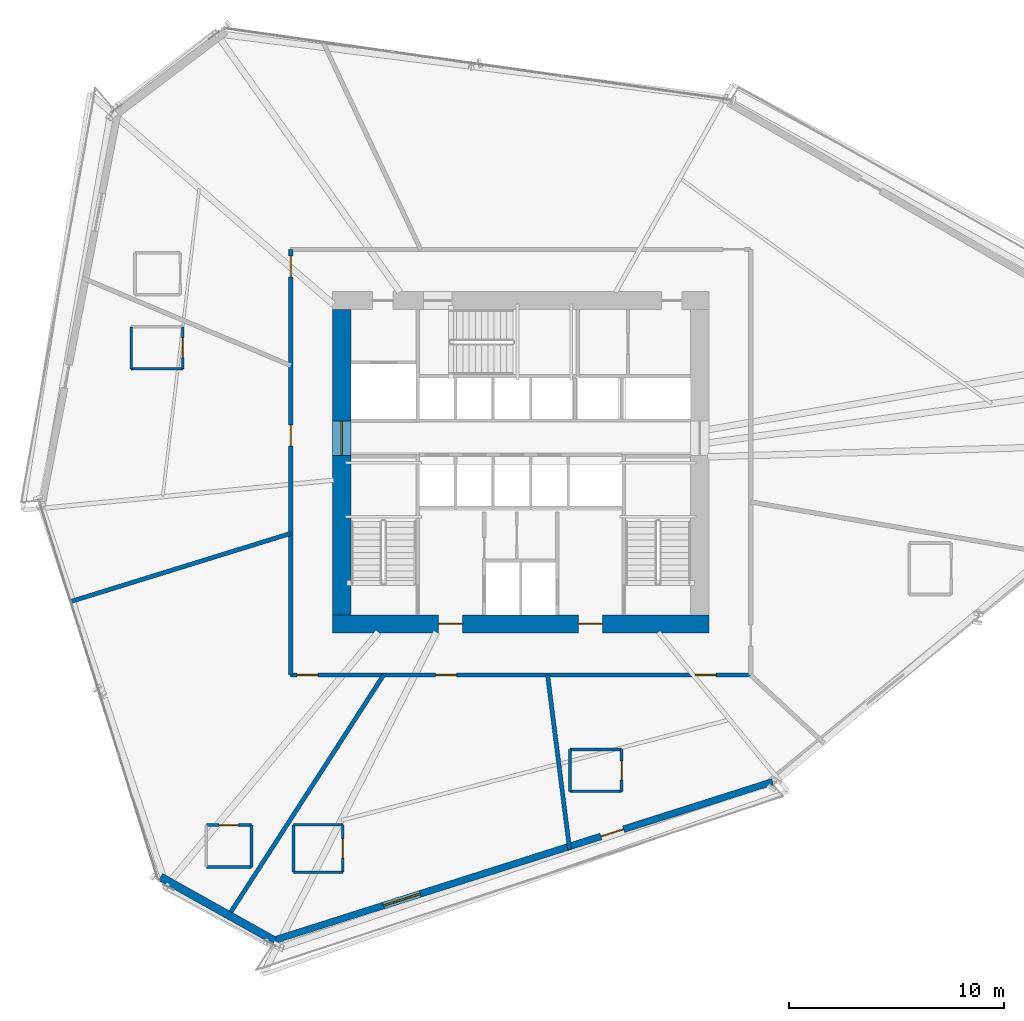
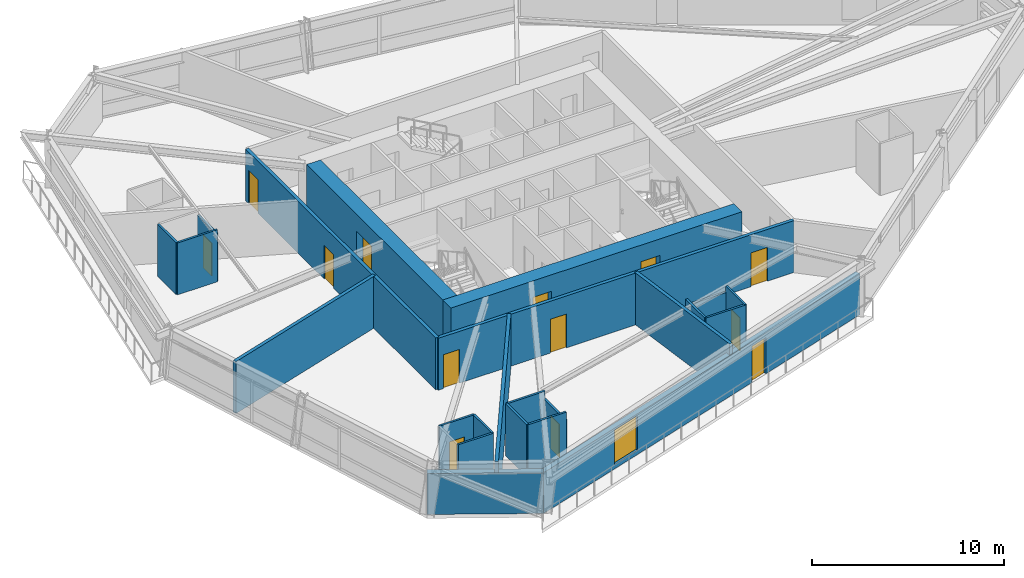
# One storey, part 15 of 21: 23 walls, 13 doors, 1 window, 14 openings.
"""IFC4 building model written with IfcOpenShell, lengths in metres."""

from ifc_helpers import new_model, si_unit, direction, frame, frame_2d, origin, place, context, subcontext, project, spatial, rectangle, extrude, source, transform, mapped, material, layer, layer_set, type_object, type_shapes, element, fill, save


model = new_model("IFC4")

# Units and contexts
model_context = context("Model", 3, precision=1e-05, world=origin(), true_north=direction((0.0, 1.0)))
body_context = subcontext(model_context, "Body", "Model", "MODEL_VIEW")
ifc_project = project(units=[si_unit("LENGTHUNIT", "METRE"), si_unit("AREAUNIT", "SQUARE_METRE"), si_unit("VOLUMEUNIT", "CUBIC_METRE"), si_unit("PLANEANGLEUNIT", "RADIAN"), si_unit("MASSUNIT", "GRAM", prefix="KILO")], contexts=[model_context])

# Site, building, storey
site_placement = place(None, origin())
site = spatial("IfcSite", under=ifc_project, at=site_placement, CompositionType="ELEMENT")
building_placement = place(site_placement, origin())
building = spatial("IfcBuilding", under=site, at=building_placement, Name="Olszyna Solenne Hotel", CompositionType="ELEMENT")
storey_placement = place(building_placement, frame((0.0, 0.0, 54.14990234375)))
storey = spatial("IfcBuildingStorey", under=building, at=storey_placement, Name="L13", CompositionType="ELEMENT", Elevation=54.14990234375)

# Wall, openings, doors
ifc_material_1 = material(Name="Concrete C60/75", Category="concrete")
ifc_layer_1 = layer(ifc_material_1, 0.85009765625, Name="Concrete C60/75")
ifc_layer_set_1 = layer_set([ifc_layer_1], Name="Concrete C60/75")
wall_type_1 = type_object("IfcWallType", Name="WL-CR850", PredefinedType="SHEAR", material=ifc_layer_set_1)
wall_1_placement = place(storey_placement, frame((46.75, 19.074951171875, 0.0), z_axis=(0.0, 0.0, 1.0), x_axis=(-1.0, 0.0, 0.0)))
wall_1 = element("IfcWall", 1, at=wall_1_placement, inside=storey, type_object=wall_type_1, Name="Core shear wall WL-CR850 CRW-L13-S", PredefinedType="SHEAR", context=body_context, shape_type="SweptSolid", body=[
    extrude(rectangle(XDim=17.5, YDim=0.85009765625, at=frame_2d((8.75, 0.0))), origin(), (0.0, 0.0, 1.0), 3.300048828125),
])
opening_1_placement = place(wall_1_placement, frame((4.949951171875, 0.0, 0.0)))
opening_1 = element("IfcOpeningElement", 2, at=opening_1_placement, cuts=wall_1, Name="Opening FL-L13-1", PredefinedType="OPENING", context=body_context, shape_type="SweptSolid", body=[
    extrude(rectangle(XDim=1.1201171875, YDim=2.25, at=frame_2d((0.56005859375, 1.125))), frame((0.0, 0.43505859375, 0.0), z_axis=(0.0, -1.0, 0.0), x_axis=(1.0, 0.0, 0.0)), (0.0, 0.0, 1.0), 0.8701171875),
])
opening_2_placement = place(wall_1_placement, frame((11.449951171875, 0.0, 0.0)))
opening_2 = element("IfcOpeningElement", 3, at=opening_2_placement, cuts=wall_1, Name="Opening FL-L13-2", PredefinedType="OPENING", context=body_context, shape_type="SweptSolid", body=[
    extrude(rectangle(XDim=1.1201171875, YDim=2.25, at=frame_2d((0.56005859375, 1.125))), frame((0.0, 0.43505859375, 0.0), z_axis=(0.0, -1.0, 0.0), x_axis=(1.0, 0.0, 0.0)), (0.0, 0.0, 1.0), 0.8701171875),
])
ifc_material_2 = material(Name="Steel S355J2", Category="steel")
door_type_1 = type_object("IfcDoorType", Name="DR-FL1", OperationType="NOTDEFINED", PredefinedType="DOOR", material=ifc_material_2)
shared_shape_1 = source(origin(), body_context, "Body", "SweptSolid", [
    extrude(rectangle(XDim=1.1201171875, YDim=2.25, at=frame_2d((0.56005859375, 1.125))), frame((0.0, 0.02490234375, 0.0), z_axis=(0.0, -1.0, 0.0), x_axis=(1.0, 0.0, 0.0)), (0.0, 0.0, 1.0), 0.050048828125),
])
type_shapes(door_type_1, [shared_shape_1])
door_1_placement = place(opening_1_placement, origin())
door_1 = element("IfcDoor", 4, at=door_1_placement, inside=storey, type_object=door_type_1, Name="Firefighting lift lobby smoke door FL-L13-1", OperationType="SINGLE_SWING_LEFT", OverallHeight=2.25, OverallWidth=1.1201171875, PredefinedType="DOOR", context=body_context, shape_type="MappedRepresentation", body=[
    mapped(shared_shape_1, transform((0.0, 0.0, 0.0), x_axis=(1.0, 0.0, 0.0), y_axis=(0.0, 1.0, 0.0), z_axis=(0.0, 0.0, 1.0), scale=1.0)),
])
fill(opening_1, door_1)
door_2_placement = place(opening_2_placement, origin())
door_2 = element("IfcDoor", 5, at=door_2_placement, inside=storey, type_object=door_type_1, Name="Firefighting lift lobby smoke door FL-L13-2", OperationType="SINGLE_SWING_RIGHT", OverallHeight=2.25, OverallWidth=1.1201171875, PredefinedType="DOOR", context=body_context, shape_type="MappedRepresentation", body=[
    mapped(shared_shape_1, transform((0.0, 0.0, 0.0), x_axis=(1.0, 0.0, 0.0), y_axis=(0.0, 1.0, 0.0), z_axis=(0.0, 0.0, 1.0), scale=1.0)),
])
fill(opening_2, door_2)

# Wall, opening, door
wall_2_placement = place(storey_placement, frame((29.675048828125, 19.5, 0.0), z_axis=(0.0, 0.0, 1.0), x_axis=(0.0, 1.0, 0.0)))
wall_2 = element("IfcWall", 6, at=wall_2_placement, inside=storey, type_object=wall_type_1, Name="Core shear wall WL-CR850 CRW-L13-W", PredefinedType="SHEAR", context=body_context, shape_type="SweptSolid", body=[
    extrude(rectangle(XDim=14.199951171875, YDim=0.85009765625, at=frame_2d((7.10009765625, 0.0))), origin(), (0.0, 0.0, 1.0), 3.300048828125),
])
opening_3_placement = place(wall_2_placement, frame((7.419921875, 0.0, 0.0)))
opening_3 = element("IfcOpeningElement", 7, at=opening_3_placement, cuts=wall_2, Name="Opening LHD-L13-W", PredefinedType="OPENING", context=body_context, shape_type="SweptSolid", body=[
    extrude(rectangle(XDim=1.60009765625, YDim=2.199951171875, at=frame_2d((0.800048828125, 1.10009765625))), frame((0.0, 0.43505859375, 0.0), z_axis=(0.0, -1.0, 0.0), x_axis=(1.0, 0.0, 0.0)), (0.0, 0.0, 1.0), 0.8701171875),
])
ifc_material_3 = material(Name="Timber hardwood", Category="wood")
door_type_2 = type_object("IfcDoorType", Name="DR-CR1", OperationType="DOUBLE_DOOR_SINGLE_SWING", PredefinedType="DOOR", material=ifc_material_3)
shared_shape_2 = source(origin(), body_context, "Body", "SweptSolid", [
    extrude(rectangle(XDim=1.60009765625, YDim=2.199951171875, at=frame_2d((0.800048828125, 1.10009765625))), frame((0.0, 0.02490234375, 0.0), z_axis=(0.0, -1.0, 0.0), x_axis=(1.0, 0.0, 0.0)), (0.0, 0.0, 1.0), 0.050048828125),
])
type_shapes(door_type_2, [shared_shape_2])
door_3_placement = place(opening_3_placement, origin())
door_3 = element("IfcDoor", 8, at=door_3_placement, inside=storey, type_object=door_type_2, Name="Passenger lift lobby West fire door LHD-L13-W", OperationType="DOUBLE_DOOR_SINGLE_SWING", OverallHeight=2.199951171875, OverallWidth=1.60009765625, PredefinedType="DOOR", context=body_context, shape_type="MappedRepresentation", body=[
    mapped(shared_shape_2, transform((0.0, 0.0, 0.0), x_axis=(1.0, 0.0, 0.0), y_axis=(0.0, 1.0, 0.0), z_axis=(0.0, 0.0, 1.0), scale=1.0)),
])
fill(opening_3, door_3)

# Wall, openings, door, window
ifc_material_4 = material(Name="Precast concrete C45/55", Category="concrete")
ifc_layer_2 = layer(ifc_material_4, 0.320068359375, Name="Precast concrete C45/55")
ifc_layer_set_2 = layer_set([ifc_layer_2], Name="Precast concrete C45/55")
wall_type_2 = type_object("IfcWallType", Name="WL-EX320", PredefinedType="SOLIDWALL", material=ifc_layer_set_2)
wall_3_placement = place(storey_placement, frame((49.714599609375, 11.72802734375, 0.0), z_axis=(0.0, 0.0, 1.0), x_axis=(-0.95301817626, -0.30291311579, 0.0)))
wall_3 = element("IfcWall", 9, at=wall_3_placement, inside=storey, type_object=wall_type_2, Name="Exterior terracotta-precast frame wall WL-EX320 EW-L13-01", PredefinedType="SOLIDWALL", context=body_context, shape_type="SweptSolid", body=[
    extrude(rectangle(XDim=24.453369140625, YDim=0.320068359375, at=frame_2d((12.2265625, 0.0))), origin(), (0.0, 0.0, 1.0), 2.592041015625),
])
opening_4_placement = place(wall_3_placement, frame((7.27490234375, 0.0, 0.0)))
opening_4 = element("IfcOpeningElement", 10, at=opening_4_placement, cuts=wall_3, Name="Opening LDG-L13-3", PredefinedType="OPENING", context=body_context, shape_type="SweptSolid", body=[
    extrude(rectangle(XDim=1.10009765625, YDim=2.300048828125, at=frame_2d((0.550048828125, 1.14990234375))), frame((0.0, 0.169921875, 0.0), z_axis=(0.0, -1.0, 0.0), x_axis=(1.0, 0.0, 0.0)), (0.0, 0.0, 1.0), 0.340087890625),
])
opening_5_placement = place(wall_3_placement, frame((17.195068359375, 0.0, 0.27197265625)))
opening_5 = element("IfcOpeningElement", 11, at=opening_5_placement, cuts=wall_3, Name="Opening WN-L13-057", PredefinedType="OPENING", context=body_context, shape_type="SweptSolid", body=[
    extrude(rectangle(XDim=1.800048828125, YDim=2.199951171875, at=frame_2d((0.89990234375, 1.10009765625))), frame((0.0, 0.169921875, 0.0), z_axis=(0.0, -1.0, 0.0), x_axis=(1.0, 0.0, 0.0)), (0.0, 0.0, 1.0), 0.340087890625),
])
ifc_material_5 = material(Name="Anodised bronze aluminium", Category="aluminium")
door_type_3 = type_object("IfcDoorType", Name="DR-LG1", OperationType="NOTDEFINED", PredefinedType="DOOR", material=ifc_material_5)
shared_shape_3 = source(origin(), body_context, "Body", "SweptSolid", [
    extrude(rectangle(XDim=1.10009765625, YDim=2.300048828125, at=frame_2d((0.550048828125, 1.14990234375))), frame((0.0, 0.02490234375, 0.0), z_axis=(0.0, -1.0, 0.0), x_axis=(1.0, 0.0, 0.0)), (0.0, 0.0, 1.0), 0.050048828125),
])
type_shapes(door_type_3, [shared_shape_3])
door_4_placement = place(opening_4_placement, origin())
door_4 = element("IfcDoor", 12, at=door_4_placement, inside=storey, type_object=door_type_3, Name="Exterior loggia balcony door DR-LG1 LDG-L13-3", OperationType="SINGLE_SWING_LEFT", OverallHeight=2.300048828125, OverallWidth=1.10009765625, PredefinedType="DOOR", context=body_context, shape_type="MappedRepresentation", body=[
    mapped(shared_shape_3, transform((0.0, 0.0, 0.0), x_axis=(1.0, 0.0, 0.0), y_axis=(0.0, 1.0, 0.0), z_axis=(0.0, 0.0, 1.0), scale=1.0)),
])
fill(opening_4, door_4)
ifc_material_6 = material(Name="Low-E triple glazing", Category="glass")
window_type = type_object("IfcWindowType", Name="WN-HT1", PartitioningType="SINGLE_PANEL", PredefinedType="WINDOW", material=ifc_material_6)
shared_shape_4 = source(origin(), body_context, "Body", "SweptSolid", [
    extrude(rectangle(XDim=1.800048828125, YDim=2.199951171875, at=frame_2d((0.89990234375, 1.10009765625))), frame((0.0, 0.030029296875, 0.0), z_axis=(0.0, -1.0, 0.0), x_axis=(1.0, 0.0, 0.0)), (0.0, 0.0, 1.0), 0.06005859375),
])
type_shapes(window_type, [shared_shape_4])
window_placement = place(opening_5_placement, origin())
window = element("IfcWindow", 13, at=window_placement, inside=storey, type_object=window_type, Name="Loggia room window WN-HT1 WN-L13-057", OverallHeight=2.199951171875, OverallWidth=1.800048828125, PartitioningType="SINGLE_PANEL", PredefinedType="WINDOW", context=body_context, shape_type="MappedRepresentation", body=[
    mapped(shared_shape_4, transform((0.0, 0.0, 0.0), x_axis=(1.0, 0.0, 0.0), y_axis=(0.0, 1.0, 0.0), z_axis=(0.0, 0.0, 1.0), scale=1.0)),
])
fill(opening_5, window)

# Wall
ifc_material_7 = material(Name="Terracotta cladding on precast concrete C45/55", Category="masonry")
ifc_layer_3 = layer(ifc_material_7, 0.3798828125, Name="Terracotta cladding on precast concrete C45/55")
ifc_layer_set_3 = layer_set([ifc_layer_3], Name="Terracotta cladding on precast concrete C45/55")
wall_type_3 = type_object("IfcWallType", Name="WL-EX380", PredefinedType="SOLIDWALL", material=ifc_layer_set_3)
wall_4_placement = place(storey_placement, frame((26.551513671875, 4.333984375, 0.0), z_axis=(0.0, 0.0, 1.0), x_axis=(-0.872917836557, 0.487867246923, 0.0)))
element("IfcWall", 14, at=wall_4_placement, inside=storey, type_object=wall_type_3, Name="Exterior terracotta-precast frame wall WL-EX380 EW-L13-02", PredefinedType="SOLIDWALL", context=body_context, shape_type="SweptSolid", body=[
    extrude(rectangle(XDim=6.0810546875, YDim=0.3798828125, at=frame_2d((3.04052734375, 0.0))), origin(), (0.0, 0.0, 1.0), 2.592041015625),
])

# Wall, opening, door
ifc_material_8 = material(Name="Acoustic gypsum partition", Category="gypsum")
ifc_layer_4 = layer(ifc_material_8, 0.125, Name="Acoustic gypsum partition")
ifc_layer_set_4 = layer_set([ifc_layer_4], Name="Acoustic gypsum partition")
wall_type_4 = type_object("IfcWallType", Name="WL-PT125", PredefinedType="PARTITIONING", material=ifc_layer_set_4)
wall_5_placement = place(storey_placement, frame((22.279052734375, 30.945068359375, 0.0), z_axis=(0.0, 0.0, 1.0), x_axis=(0.0, 1.0, 0.0)))
wall_5 = element("IfcWall", 15, at=wall_5_placement, inside=storey, type_object=wall_type_4, Name="Interior acoustic partition WL-PT125 PW-L13-0720", PredefinedType="PARTITIONING", context=body_context, shape_type="SweptSolid", body=[
    extrude(rectangle(XDim=1.949951171875, YDim=0.125, at=frame_2d((0.97509765625, 0.0))), origin(), (0.0, 0.0, 1.0), 3.045166015625),
])
opening_6_placement = place(wall_5_placement, frame((0.52490234375, 0.0, 0.0)))
opening_6 = element("IfcOpeningElement", 16, at=opening_6_placement, cuts=wall_5, Name="Opening DR-L13-0157", PredefinedType="OPENING", context=body_context, shape_type="SweptSolid", body=[
    extrude(rectangle(XDim=0.89990234375, YDim=2.10009765625, at=frame_2d((0.449951171875, 1.050048828125))), frame((0.0, 0.072509765625, 0.0), z_axis=(0.0, -1.0, 0.0), x_axis=(1.0, 0.0, 0.0)), (0.0, 0.0, 1.0), 0.14501953125),
])
door_type_4 = type_object("IfcDoorType", Name="DR-WC1", OperationType="NOTDEFINED", PredefinedType="DOOR", material=ifc_material_3)
shared_shape_5 = source(origin(), body_context, "Body", "SweptSolid", [
    extrude(rectangle(XDim=0.89990234375, YDim=2.10009765625, at=frame_2d((0.449951171875, 1.050048828125))), frame((0.0, 0.02490234375, 0.0), z_axis=(0.0, -1.0, 0.0), x_axis=(1.0, 0.0, 0.0)), (0.0, 0.0, 1.0), 0.050048828125),
])
type_shapes(door_type_4, [shared_shape_5])
door_5_placement = place(opening_6_placement, origin())
door_5 = element("IfcDoor", 17, at=door_5_placement, inside=storey, type_object=door_type_4, Name="En-Suite Bathroom Door DR-L13-0157", OperationType="SINGLE_SWING_RIGHT", OverallHeight=2.10009765625, OverallWidth=0.89990234375, PredefinedType="DOOR", context=body_context, shape_type="MappedRepresentation", body=[
    mapped(shared_shape_5, transform((0.0, 0.0, 0.0), x_axis=(1.0, 0.0, 0.0), y_axis=(0.0, 1.0, 0.0), z_axis=(0.0, 0.0, 1.0), scale=1.0)),
])
fill(opening_6, door_5)

# Walls
wall_6_placement = place(storey_placement, frame((19.87890625, 32.89501953125, 0.0), z_axis=(0.0, 0.0, 1.0), x_axis=(0.0, -1.0, 0.0)))
element("IfcWall", 18, at=wall_6_placement, inside=storey, type_object=wall_type_4, Name="Interior acoustic partition WL-PT125 PW-L13-0722", PredefinedType="PARTITIONING", context=body_context, shape_type="SweptSolid", body=[
    extrude(rectangle(XDim=1.949951171875, YDim=0.125, at=frame_2d((0.97509765625, 0.0))), origin(), (0.0, 0.0, 1.0), 3.300048828125),
])
wall_7_placement = place(storey_placement, frame((19.87890625, 30.945068359375, 0.0), z_axis=(0.0, 0.0, 1.0), x_axis=(1.0, 0.0, 0.0)))
element("IfcWall", 19, at=wall_7_placement, inside=storey, type_object=wall_type_4, Name="Interior acoustic partition WL-PT125 PW-L13-0723", PredefinedType="PARTITIONING", context=body_context, shape_type="SweptSolid", body=[
    extrude(rectangle(XDim=2.400146484375, YDim=0.125, at=frame_2d((1.2001953125, 0.0))), origin(), (0.0, 0.0, 1.0), 3.300048828125),
])
wall_8_placement = place(storey_placement, frame((25.470947265625, 7.77001953125, 0.0), z_axis=(0.0, 0.0, 1.0), x_axis=(0.0, 1.0, 0.0)))
element("IfcWall", 20, at=wall_8_placement, inside=storey, type_object=wall_type_4, Name="Interior acoustic partition WL-PT125 PW-L13-0724", PredefinedType="PARTITIONING", context=body_context, shape_type="SweptSolid", body=[
    extrude(rectangle(XDim=1.949951171875, YDim=0.125, at=frame_2d((0.97509765625, 0.0))), origin(), (0.0, 0.0, 1.0), 3.300048828125),
])

# Wall, opening, door
wall_9_placement = place(storey_placement, frame((25.470947265625, 9.719970703125, 0.0), z_axis=(0.0, 0.0, 1.0), x_axis=(-1.0, 0.0, 0.0)))
wall_9 = element("IfcWall", 21, at=wall_9_placement, inside=storey, type_object=wall_type_4, Name="Interior acoustic partition WL-PT125 PW-L13-0725", PredefinedType="PARTITIONING", context=body_context, shape_type="SweptSolid", body=[
    extrude(rectangle(XDim=2.099853515625, YDim=0.125, at=frame_2d((1.0498046875, 0.0))), origin(), (0.0, 0.0, 1.0), 3.300048828125),
])
opening_7_placement = place(wall_9_placement, frame((0.60009765625, 0.0, 0.0)))
opening_7 = element("IfcOpeningElement", 22, at=opening_7_placement, cuts=wall_9, Name="Opening DR-L13-0158", PredefinedType="OPENING", context=body_context, shape_type="SweptSolid", body=[
    extrude(rectangle(XDim=0.89990234375, YDim=2.10009765625, at=frame_2d((0.449951171875, 1.050048828125))), frame((0.0, 0.072509765625, 0.0), z_axis=(0.0, -1.0, 0.0), x_axis=(1.0, 0.0, 0.0)), (0.0, 0.0, 1.0), 0.14501953125),
])
door_6_placement = place(opening_7_placement, origin())
door_6 = element("IfcDoor", 23, at=door_6_placement, inside=storey, type_object=door_type_4, Name="En-Suite Bathroom Door DR-L13-0158", OperationType="SINGLE_SWING_LEFT", OverallHeight=2.10009765625, OverallWidth=0.89990234375, PredefinedType="DOOR", context=body_context, shape_type="MappedRepresentation", body=[
    mapped(shared_shape_5, transform((0.0, 0.0, 0.0), x_axis=(1.0, 0.0, 0.0), y_axis=(0.0, 1.0, 0.0), z_axis=(0.0, 0.0, 1.0), scale=1.0)),
])
fill(opening_7, door_6)

# Wall
wall_10_placement = place(storey_placement, frame((23.37109375, 7.77001953125, 0.0), z_axis=(0.0, 0.0, 1.0), x_axis=(1.0, 0.0, 0.0)))
element("IfcWall", 24, at=wall_10_placement, inside=storey, type_object=wall_type_4, Name="Interior acoustic partition WL-PT125 PW-L13-0727", PredefinedType="PARTITIONING", context=body_context, shape_type="SweptSolid", body=[
    extrude(rectangle(XDim=2.099853515625, YDim=0.125, at=frame_2d((1.0498046875, 0.0))), origin(), (0.0, 0.0, 1.0), 3.300048828125),
])

# Wall, opening, door
wall_11_placement = place(storey_placement, frame((29.72607421875, 7.528076171875, 0.0), z_axis=(0.0, 0.0, 1.0), x_axis=(0.0, 1.0, 0.0)))
wall_11 = element("IfcWall", 25, at=wall_11_placement, inside=storey, type_object=wall_type_4, Name="Interior acoustic partition WL-PT125 PW-L13-0728", PredefinedType="PARTITIONING", context=body_context, shape_type="SweptSolid", body=[
    extrude(rectangle(XDim=2.199951171875, YDim=0.125, at=frame_2d((1.10009765625, 0.0))), origin(), (0.0, 0.0, 1.0), 2.795166015625),
])
opening_8_placement = place(wall_11_placement, frame((0.64990234375, 0.0, 0.0)))
opening_8 = element("IfcOpeningElement", 26, at=opening_8_placement, cuts=wall_11, Name="Opening DR-L13-0159", PredefinedType="OPENING", context=body_context, shape_type="SweptSolid", body=[
    extrude(rectangle(XDim=0.89990234375, YDim=2.10009765625, at=frame_2d((0.449951171875, 1.050048828125))), frame((0.0, 0.072509765625, 0.0), z_axis=(0.0, -1.0, 0.0), x_axis=(1.0, 0.0, 0.0)), (0.0, 0.0, 1.0), 0.14501953125),
])
door_7_placement = place(opening_8_placement, origin())
door_7 = element("IfcDoor", 27, at=door_7_placement, inside=storey, type_object=door_type_4, Name="En-Suite Bathroom Door DR-L13-0159", OperationType="SINGLE_SWING_RIGHT", OverallHeight=2.10009765625, OverallWidth=0.89990234375, PredefinedType="DOOR", context=body_context, shape_type="MappedRepresentation", body=[
    mapped(shared_shape_5, transform((0.0, 0.0, 0.0), x_axis=(1.0, 0.0, 0.0), y_axis=(0.0, 1.0, 0.0), z_axis=(0.0, 0.0, 1.0), scale=1.0)),
])
fill(opening_8, door_7)

# Walls
wall_12_placement = place(storey_placement, frame((29.72607421875, 9.72802734375, 0.0), z_axis=(0.0, 0.0, 1.0), x_axis=(-1.0, 0.0, 0.0)))
element("IfcWall", 28, at=wall_12_placement, inside=storey, type_object=wall_type_4, Name="Interior acoustic partition WL-PT125 PW-L13-0729", PredefinedType="PARTITIONING", context=body_context, shape_type="SweptSolid", body=[
    extrude(rectangle(XDim=2.300048828125, YDim=0.125, at=frame_2d((1.14990234375, 0.0))), origin(), (0.0, 0.0, 1.0), 3.300048828125),
])
wall_13_placement = place(storey_placement, frame((27.426025390625, 9.72802734375, 0.0), z_axis=(0.0, 0.0, 1.0), x_axis=(0.0, -1.0, 0.0)))
element("IfcWall", 29, at=wall_13_placement, inside=storey, type_object=wall_type_4, Name="Interior acoustic partition WL-PT125 PW-L13-0730", PredefinedType="PARTITIONING", context=body_context, shape_type="SweptSolid", body=[
    extrude(rectangle(XDim=2.199951171875, YDim=0.125, at=frame_2d((1.10009765625, 0.0))), origin(), (0.0, 0.0, 1.0), 3.300048828125),
])
wall_14_placement = place(storey_placement, frame((27.426025390625, 7.528076171875, 0.0), z_axis=(0.0, 0.0, 1.0), x_axis=(1.0, 0.0, 0.0)))
element("IfcWall", 30, at=wall_14_placement, inside=storey, type_object=wall_type_4, Name="Interior acoustic partition WL-PT125 PW-L13-0731", PredefinedType="PARTITIONING", context=body_context, shape_type="SweptSolid", body=[
    extrude(rectangle(XDim=2.300048828125, YDim=0.125, at=frame_2d((1.14990234375, 0.0))), origin(), (0.0, 0.0, 1.0), 3.300048828125),
])

# Wall, opening, door
wall_15_placement = place(storey_placement, frame((42.69189453125, 11.285888671875, 0.0), z_axis=(0.0, 0.0, 1.0), x_axis=(0.0, 1.0, 0.0)))
wall_15 = element("IfcWall", 31, at=wall_15_placement, inside=storey, type_object=wall_type_4, Name="Interior acoustic partition WL-PT125 PW-L13-0732", PredefinedType="PARTITIONING", context=body_context, shape_type="SweptSolid", body=[
    extrude(rectangle(XDim=1.9501953125, YDim=0.125, at=frame_2d((0.97509765625, 0.0))), origin(), (0.0, 0.0, 1.0), 3.300048828125),
])
opening_9_placement = place(wall_15_placement, frame((0.52490234375, 0.0, 0.0)))
opening_9 = element("IfcOpeningElement", 32, at=opening_9_placement, cuts=wall_15, Name="Opening DR-L13-0160", PredefinedType="OPENING", context=body_context, shape_type="SweptSolid", body=[
    extrude(rectangle(XDim=0.89990234375, YDim=2.10009765625, at=frame_2d((0.449951171875, 1.050048828125))), frame((0.0, 0.072509765625, 0.0), z_axis=(0.0, -1.0, 0.0), x_axis=(1.0, 0.0, 0.0)), (0.0, 0.0, 1.0), 0.14501953125),
])
door_8_placement = place(opening_9_placement, origin())
door_8 = element("IfcDoor", 33, at=door_8_placement, inside=storey, type_object=door_type_4, Name="En-Suite Bathroom Door DR-L13-0160", OperationType="SINGLE_SWING_RIGHT", OverallHeight=2.10009765625, OverallWidth=0.89990234375, PredefinedType="DOOR", context=body_context, shape_type="MappedRepresentation", body=[
    mapped(shared_shape_5, transform((0.0, 0.0, 0.0), x_axis=(1.0, 0.0, 0.0), y_axis=(0.0, 1.0, 0.0), z_axis=(0.0, 0.0, 1.0), scale=1.0)),
])
fill(opening_9, door_8)

# Walls
wall_16_placement = place(storey_placement, frame((42.69189453125, 13.236083984375, 0.0), z_axis=(0.0, 0.0, 1.0), x_axis=(-1.0, 0.0, 0.0)))
element("IfcWall", 34, at=wall_16_placement, inside=storey, type_object=wall_type_4, Name="Interior acoustic partition WL-PT125 PW-L13-0733", PredefinedType="PARTITIONING", context=body_context, shape_type="SweptSolid", body=[
    extrude(rectangle(XDim=2.39990234375, YDim=0.125, at=frame_2d((1.199951171875, 0.0))), origin(), (0.0, 0.0, 1.0), 2.925048828125),
])
wall_17_placement = place(storey_placement, frame((40.2919921875, 13.236083984375, 0.0), z_axis=(0.0, 0.0, 1.0), x_axis=(0.0, -1.0, 0.0)))
element("IfcWall", 35, at=wall_17_placement, inside=storey, type_object=wall_type_4, Name="Interior acoustic partition WL-PT125 PW-L13-0734", PredefinedType="PARTITIONING", context=body_context, shape_type="SweptSolid", body=[
    extrude(rectangle(XDim=1.9501953125, YDim=0.125, at=frame_2d((0.97509765625, 0.0))), origin(), (0.0, 0.0, 1.0), 3.300048828125),
])
wall_18_placement = place(storey_placement, frame((40.2919921875, 11.285888671875, 0.0), z_axis=(0.0, 0.0, 1.0), x_axis=(1.0, 0.0, 0.0)))
element("IfcWall", 36, at=wall_18_placement, inside=storey, type_object=wall_type_4, Name="Interior acoustic partition WL-PT125 PW-L13-0735", PredefinedType="PARTITIONING", context=body_context, shape_type="SweptSolid", body=[
    extrude(rectangle(XDim=2.39990234375, YDim=0.125, at=frame_2d((1.199951171875, 0.0))), origin(), (0.0, 0.0, 1.0), 3.300048828125),
])
ifc_layer_5 = layer(ifc_material_8, 0.199951171875, Name="Acoustic gypsum partition")
ifc_layer_set_5 = layer_set([ifc_layer_5], Name="Acoustic gypsum partition")
wall_type_5 = type_object("IfcWallType", Name="WL-PT200", PredefinedType="PARTITIONING", material=ifc_layer_set_5)
wall_19_placement = place(storey_placement, frame((27.300048828125, 23.287841796875, 0.0), z_axis=(0.0, 0.0, 1.0), x_axis=(-0.955277591085, -0.295710540851, 0.0)))
element("IfcWall", 37, at=wall_19_placement, inside=storey, type_object=wall_type_5, Name="Interior acoustic partition WL-PT200 PW-L13-0712", PredefinedType="PARTITIONING", context=body_context, shape_type="SweptSolid", body=[
    extrude(rectangle(XDim=10.683349609375, YDim=0.199951171875, at=frame_2d((5.341796875, 0.0))), origin(), (0.0, 0.0, 1.0), 3.300048828125),
])
wall_20_placement = place(storey_placement, frame((31.619873046875, 16.699951171875, 0.0), z_axis=(0.0, 0.0, 1.0), x_axis=(-0.541710166358, -0.840565342888, 0.0)))
element("IfcWall", 38, at=wall_20_placement, inside=storey, type_object=wall_type_5, Name="Interior acoustic partition WL-PT200 PW-L13-0713", PredefinedType="PARTITIONING", context=body_context, shape_type="SweptSolid", body=[
    extrude(rectangle(XDim=13.453857421875, YDim=0.199951171875, at=frame_2d((6.72705078125, 0.0))), origin(), (0.0, 0.0, 1.0), 3.300048828125),
])
wall_21_placement = place(storey_placement, frame((39.250732421875, 16.699951171875, 0.0), z_axis=(0.0, 0.0, 1.0), x_axis=(0.125310369071, -0.992117589504, 0.0)))
element("IfcWall", 39, at=wall_21_placement, inside=storey, type_object=wall_type_5, Name="Interior acoustic partition WL-PT200 PW-L13-0714", PredefinedType="PARTITIONING", context=body_context, shape_type="SweptSolid", body=[
    extrude(rectangle(XDim=8.173095703125, YDim=0.199951171875, at=frame_2d((4.08642578125, 0.0))), origin(), (0.0, 0.0, 1.0), 3.300048828125),
])

# Wall, openings, doors
wall_22_placement = place(storey_placement, frame((27.300048828125, 16.699951171875, 0.0), z_axis=(0.0, 0.0, 1.0), x_axis=(1.0, 0.0, 0.0)))
wall_22 = element("IfcWall", 40, at=wall_22_placement, inside=storey, type_object=wall_type_5, Name="Interior acoustic partition WL-PT200 PW-L13-0740", PredefinedType="PARTITIONING", context=body_context, shape_type="SweptSolid", body=[
    extrude(rectangle(XDim=21.39990234375, YDim=0.199951171875, at=frame_2d((10.699951171875, 0.0))), origin(), (0.0, 0.0, 1.0), 3.300048828125),
])
opening_10_placement = place(wall_22_placement, frame((0.300048828125, 0.0, 0.0)))
opening_10 = element("IfcOpeningElement", 41, at=opening_10_placement, cuts=wall_22, Name="Opening DR-L13-0162", PredefinedType="OPENING", context=body_context, shape_type="SweptSolid", body=[
    extrude(rectangle(XDim=0.97998046875, YDim=2.14990234375, at=frame_2d((0.489990234375, 1.074951171875))), frame((0.0, 0.10986328125, 0.0), z_axis=(0.0, -1.0, 0.0), x_axis=(1.0, 0.0, 0.0)), (0.0, 0.0, 1.0), 0.219970703125),
])
opening_11_placement = place(wall_22_placement, frame((6.739990234375, 0.0, 0.0)))
opening_11 = element("IfcOpeningElement", 42, at=opening_11_placement, cuts=wall_22, Name="Opening DR-L13-0163", PredefinedType="OPENING", context=body_context, shape_type="SweptSolid", body=[
    extrude(rectangle(XDim=0.97998046875, YDim=2.14990234375, at=frame_2d((0.489990234375, 1.074951171875))), frame((0.0, 0.10986328125, 0.0), z_axis=(0.0, -1.0, 0.0), x_axis=(1.0, 0.0, 0.0)), (0.0, 0.0, 1.0), 0.219970703125),
])
opening_12_placement = place(wall_22_placement, frame((18.81298828125, 0.0, 0.0)))
opening_12 = element("IfcOpeningElement", 43, at=opening_12_placement, cuts=wall_22, Name="Opening DR-L13-0164", PredefinedType="OPENING", context=body_context, shape_type="SweptSolid", body=[
    extrude(rectangle(XDim=0.97998046875, YDim=2.14990234375, at=frame_2d((0.489990234375, 1.074951171875))), frame((0.0, 0.10986328125, 0.0), z_axis=(0.0, -1.0, 0.0), x_axis=(1.0, 0.0, 0.0)), (0.0, 0.0, 1.0), 0.219970703125),
])
door_type_5 = type_object("IfcDoorType", Name="DR-RM1", OperationType="NOTDEFINED", PredefinedType="DOOR", material=ifc_material_3)
shared_shape_6 = source(origin(), body_context, "Body", "SweptSolid", [
    extrude(rectangle(XDim=0.97998046875, YDim=2.14990234375, at=frame_2d((0.489990234375, 1.074951171875))), frame((0.0, 0.02490234375, 0.0), z_axis=(0.0, -1.0, 0.0), x_axis=(1.0, 0.0, 0.0)), (0.0, 0.0, 1.0), 0.050048828125),
])
type_shapes(door_type_5, [shared_shape_6])
door_9_placement = place(opening_10_placement, origin())
door_9 = element("IfcDoor", 44, at=door_9_placement, inside=storey, type_object=door_type_5, Name="Deluxe Hotel Guestroom Entrance Door DR-L13-0162", OperationType="SINGLE_SWING_LEFT", OverallHeight=2.14990234375, OverallWidth=0.97998046875, PredefinedType="DOOR", context=body_context, shape_type="MappedRepresentation", body=[
    mapped(shared_shape_6, transform((0.0, 0.0, 0.0), x_axis=(1.0, 0.0, 0.0), y_axis=(0.0, 1.0, 0.0), z_axis=(0.0, 0.0, 1.0), scale=1.0)),
])
fill(opening_10, door_9)
door_10_placement = place(opening_11_placement, origin())
door_10 = element("IfcDoor", 45, at=door_10_placement, inside=storey, type_object=door_type_5, Name="Deluxe Hotel Guestroom Entrance Door DR-L13-0163", OperationType="SINGLE_SWING_RIGHT", OverallHeight=2.14990234375, OverallWidth=0.97998046875, PredefinedType="DOOR", context=body_context, shape_type="MappedRepresentation", body=[
    mapped(shared_shape_6, transform((0.0, 0.0, 0.0), x_axis=(1.0, 0.0, 0.0), y_axis=(0.0, 1.0, 0.0), z_axis=(0.0, 0.0, 1.0), scale=1.0)),
])
fill(opening_11, door_10)
door_11_placement = place(opening_12_placement, origin())
door_11 = element("IfcDoor", 46, at=door_11_placement, inside=storey, type_object=door_type_5, Name="Deluxe Hotel Guestroom Entrance Door DR-L13-0164", OperationType="SINGLE_SWING_LEFT", OverallHeight=2.14990234375, OverallWidth=0.97998046875, PredefinedType="DOOR", context=body_context, shape_type="MappedRepresentation", body=[
    mapped(shared_shape_6, transform((0.0, 0.0, 0.0), x_axis=(1.0, 0.0, 0.0), y_axis=(0.0, 1.0, 0.0), z_axis=(0.0, 0.0, 1.0), scale=1.0)),
])
fill(opening_12, door_11)

wall_23_placement = place(storey_placement, frame((27.300048828125, 16.699951171875, 0.0), z_axis=(0.0, 0.0, 1.0), x_axis=(0.0, 1.0, 0.0)))
wall_23 = element("IfcWall", 47, at=wall_23_placement, inside=storey, type_object=wall_type_5, Name="Interior acoustic partition WL-PT200 PW-L13-0741", PredefinedType="PARTITIONING", context=body_context, shape_type="SweptSolid", body=[
    extrude(rectangle(XDim=19.800048828125, YDim=0.199951171875, at=frame_2d((9.89990234375, 0.0))), origin(), (0.0, 0.0, 1.0), 3.300048828125),
])
opening_13_placement = place(wall_23_placement, frame((18.52001953125, 0.0, 0.0)))
opening_13 = element("IfcOpeningElement", 48, at=opening_13_placement, cuts=wall_23, Name="Opening DR-L13-0165", PredefinedType="OPENING", context=body_context, shape_type="SweptSolid", body=[
    extrude(rectangle(XDim=0.97998046875, YDim=2.14990234375, at=frame_2d((0.489990234375, 1.074951171875))), frame((0.0, 0.10986328125, 0.0), z_axis=(0.0, -1.0, 0.0), x_axis=(1.0, 0.0, 0.0)), (0.0, 0.0, 1.0), 0.219970703125),
])
opening_14_placement = place(wall_23_placement, frame((10.654052734375, 0.0, 0.0)))
opening_14 = element("IfcOpeningElement", 49, at=opening_14_placement, cuts=wall_23, Name="Opening DR-L13-0166", PredefinedType="OPENING", context=body_context, shape_type="SweptSolid", body=[
    extrude(rectangle(XDim=0.97998046875, YDim=2.14990234375, at=frame_2d((0.489990234375, 1.074951171875))), frame((0.0, 0.10986328125, 0.0), z_axis=(0.0, -1.0, 0.0), x_axis=(1.0, 0.0, 0.0)), (0.0, 0.0, 1.0), 0.219970703125),
])
door_12_placement = place(opening_13_placement, origin())
door_12 = element("IfcDoor", 50, at=door_12_placement, inside=storey, type_object=door_type_5, Name="Deluxe Hotel Guestroom Entrance Door DR-L13-0165", OperationType="SINGLE_SWING_LEFT", OverallHeight=2.14990234375, OverallWidth=0.97998046875, PredefinedType="DOOR", context=body_context, shape_type="MappedRepresentation", body=[
    mapped(shared_shape_6, transform((0.0, 0.0, 0.0), x_axis=(1.0, 0.0, 0.0), y_axis=(0.0, 1.0, 0.0), z_axis=(0.0, 0.0, 1.0), scale=1.0)),
])
fill(opening_13, door_12)
door_13_placement = place(opening_14_placement, origin())
door_13 = element("IfcDoor", 51, at=door_13_placement, inside=storey, type_object=door_type_5, Name="Deluxe Hotel Guestroom Entrance Door DR-L13-0166", OperationType="SINGLE_SWING_RIGHT", OverallHeight=2.14990234375, OverallWidth=0.97998046875, PredefinedType="DOOR", context=body_context, shape_type="MappedRepresentation", body=[
    mapped(shared_shape_6, transform((0.0, 0.0, 0.0), x_axis=(1.0, 0.0, 0.0), y_axis=(0.0, 1.0, 0.0), z_axis=(0.0, 0.0, 1.0), scale=1.0)),
])
fill(opening_14, door_13)

save(model, "model.ifc")
